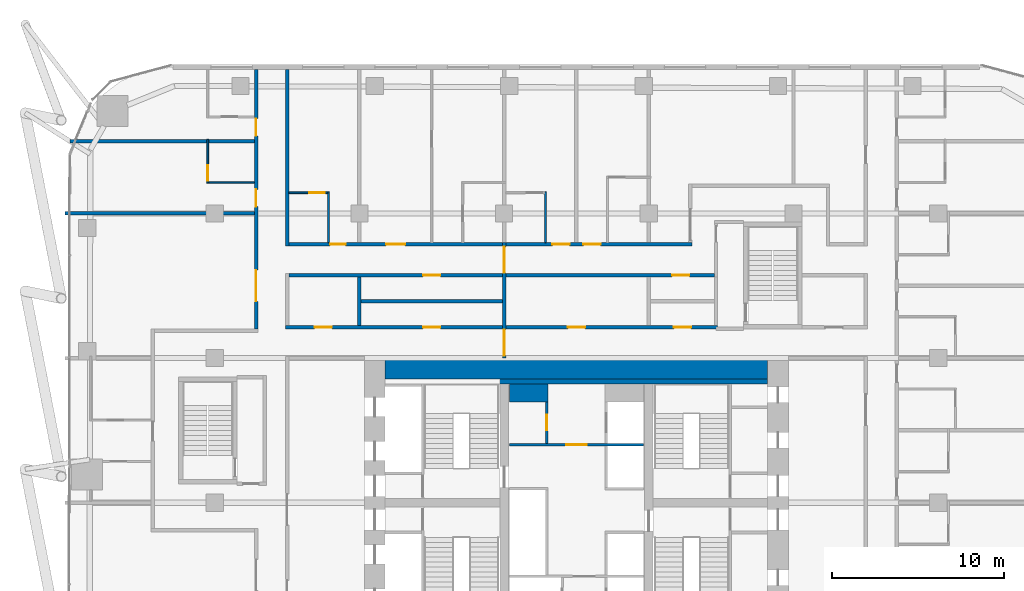
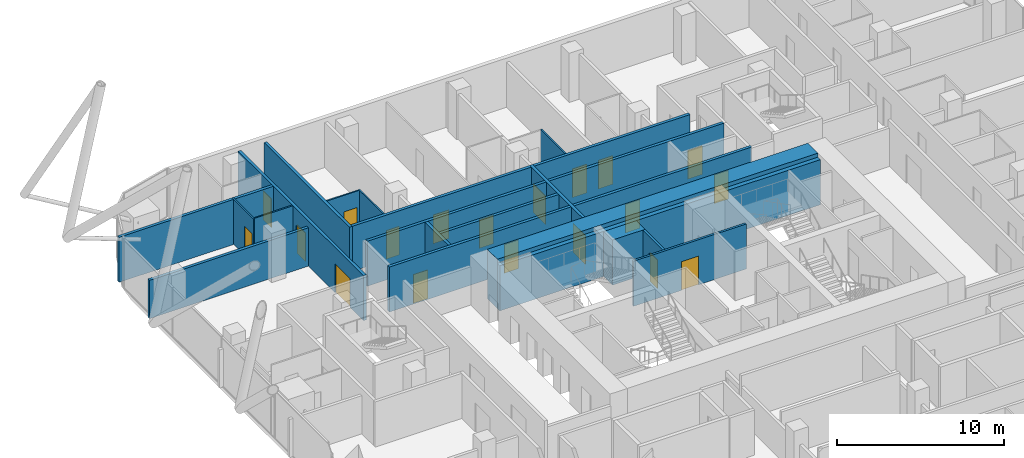
# One storey, part 32 of 36: 20 walls, 19 doors, 19 openings.
"""IFC4 building model written with IfcOpenShell, lengths in metres."""

import ifcopenshell
import ifcopenshell.guid

model = None  # the IFC model being written
_history = None  # IfcOwnerHistory: only IFC2X3 demands one
_inside = {}  # id of a spatial element -> (the spatial element, [elements in it])
_under = {}  # id of a project, library or spatial element -> (it, [spatial elements below it])
_declared = {}  # id of a project -> (the project, [libraries it declares])
_typed = {}  # id of a type object -> (the type object, [elements of that type])
_made_of = {}  # id of a material, layer set ... -> (it, [elements and type objects made of it])


def new_model(schema):
    """Start an empty IFC model of exactly this schema.

    Asked for "IFC4X3", IfcOpenShell would pick the latest addendum, in which some entities
    have other attributes; the version numbers below select the first issue.
    IFC2X3 requires an IfcOwnerHistory on every rooted entity: one is made here for all.
    """
    global model, _history
    if schema == "IFC4X3":
        model = ifcopenshell.file(schema_version=(4, 3, 0, 0))
    else:
        model = ifcopenshell.file(schema=schema)
    _inside.clear()
    _under.clear()
    _declared.clear()
    _typed.clear()
    _made_of.clear()
    _history = None
    if model.schema == "IFC2X3":
        org = make("IfcOrganization", Name="unknown")
        user = make(
            "IfcPersonAndOrganization",
            ThePerson=make("IfcPerson", FamilyName="unknown"),
            TheOrganization=org,
        )
        app = make(
            "IfcApplication",
            ApplicationDeveloper=org,
            Version="unknown",
            ApplicationFullName="unknown",
            ApplicationIdentifier="unknown",
        )
        _history = make(
            "IfcOwnerHistory",
            OwningUser=user,
            OwningApplication=app,
            ChangeAction="ADDED",
            CreationDate=0,
        )
    return model


def make(cls, **values):
    """One entity of the class cls with the attributes given. An attribute that is None is left unset."""
    return model.create_entity(
        cls, **{name: value for name, value in values.items() if value is not None}
    )


def rooted(cls, **values):
    """An entity with a GlobalId (a new one), such as an element, a storey or a relation."""
    return make(cls, GlobalId=ifcopenshell.guid.new(), OwnerHistory=_history, **values)


def si_unit(unit_type, name, prefix=None):
    """IfcSIUnit, for example si_unit("LENGTHUNIT", "METRE", prefix="MILLI")."""
    return make("IfcSIUnit", UnitType=unit_type, Prefix=prefix, Name=name)


def assignment(units):
    """IfcUnitAssignment: the units of a project."""
    return None if units is None else make("IfcUnitAssignment", Units=units)


def point(xyz):
    """IfcCartesianPoint."""
    return None if xyz is None else make("IfcCartesianPoint", Coordinates=xyz)


def direction(xyz):
    """IfcDirection."""
    return None if xyz is None else make("IfcDirection", DirectionRatios=xyz)


def frame(location, z_axis=None, x_axis=None):
    """IfcAxis2Placement3D, a coordinate frame: its origin and axes. An axis left out is left unset."""
    return make(
        "IfcAxis2Placement3D",
        Location=point(location),
        Axis=direction(z_axis),
        RefDirection=direction(x_axis),
    )


def frame_2d(location, x_axis=None):
    """IfcAxis2Placement2D, a coordinate frame in the plane: its origin and x axis."""
    return make(
        "IfcAxis2Placement2D", Location=point(location), RefDirection=direction(x_axis)
    )


def origin():
    """The frame at (0, 0, 0) with its axes left unset."""
    return frame((0.0, 0.0, 0.0))


def place(relative_to, where):
    """IfcLocalPlacement: puts the frame where relative to a parent placement (None: the world)."""
    return make(
        "IfcLocalPlacement", PlacementRelTo=relative_to, RelativePlacement=where
    )


def context(
    kind, dimensions, precision=None, world=None, true_north=None, identifier=None
):
    """IfcGeometricRepresentationContext, for example the 3D "Model" context."""
    return make(
        "IfcGeometricRepresentationContext",
        ContextIdentifier=identifier,
        ContextType=kind,
        CoordinateSpaceDimension=dimensions,
        Precision=precision,
        WorldCoordinateSystem=world,
        TrueNorth=true_north,
    )


def subcontext(parent, identifier, kind, view, scale=None):
    """IfcGeometricRepresentationSubContext, for example "Body" below "Model"."""
    return make(
        "IfcGeometricRepresentationSubContext",
        ContextIdentifier=identifier,
        ContextType=kind,
        ParentContext=parent,
        TargetScale=scale,
        TargetView=view,
    )


def project(units=None, contexts=None):
    """IfcProject with its units and contexts."""
    return rooted(
        "IfcProject",
        Name="project",
        RepresentationContexts=contexts,
        UnitsInContext=assignment(units),
    )


def spatial(cls, under=None, at=None, **own):
    """A site, building, storey or space (cls), placed at a placement, below another one or the project."""
    s = rooted(cls, ObjectPlacement=at, **own)
    if under is not None:
        _under.setdefault(under.id(), (under, []))[1].append(s)
    return s


def profile(cls, at=None, kind="AREA", **sizes):
    """A parametric profile (cls). Its sizes go by their IFC names, for example OverallWidth=200.0."""
    return make(cls, ProfileType=kind, Position=at, **sizes)


def rectangle(**sizes):
    """IfcRectangleProfileDef."""
    return profile("IfcRectangleProfileDef", **sizes)


def extrude(swept, where, along, depth):
    """IfcExtrudedAreaSolid: the profile swept, set in the frame where, extruded along a direction by depth."""
    return make(
        "IfcExtrudedAreaSolid",
        SweptArea=swept,
        Position=where,
        ExtrudedDirection=direction(along),
        Depth=depth,
    )


def shape(context_of_items, identifier, shape_type, items):
    """IfcShapeRepresentation: the items that make up one representation, for example the "Body"."""
    return make(
        "IfcShapeRepresentation",
        ContextOfItems=context_of_items,
        RepresentationIdentifier=identifier,
        RepresentationType=shape_type,
        Items=items,
    )


def material(Name=None, Category=None):
    """IfcMaterial."""
    return make("IfcMaterial", Name=Name, Category=Category)


def layer(
    of_material, thickness, ventilated=None, Name=None, Category=None, Priority=None
):
    """IfcMaterialLayer: one layer of a wall or slab, of a material (None: an air gap)."""
    return make(
        "IfcMaterialLayer",
        Material=of_material,
        LayerThickness=thickness,
        IsVentilated=ventilated,
        Name=Name,
        Category=Category,
        Priority=Priority,
    )


def layer_set(layers, Name=None):
    """IfcMaterialLayerSet."""
    return make("IfcMaterialLayerSet", MaterialLayers=layers, LayerSetName=Name)


def made_of(thing, what):
    """Note that an element or type object is made of a material, layer set ...; save() writes the relation."""
    if what is not None:
        _made_of.setdefault(what.id(), (what, []))[1].append(thing)
    return thing


def type_object(cls, material=None, **own):
    """A type object (cls), such as IfcWallType, which elements share."""
    return made_of(rooted(cls, **own), material)


def element(
    cls,
    number,
    at=None,
    inside=None,
    cuts=None,
    type_object=None,
    material=None,
    context=None,
    identifier="Body",
    shape_type=None,
    held_by="IfcProductDefinitionShape",
    body=None,
    shapes=None,
    **own,
):
    """One element of the class cls, such as IfcWall. Its Tag is "e" and its number.

    at: its placement. inside: the storey or other place that contains it. cuts: it is an
    opening in that element (IfcRelVoidsElement). A single representation is given by context,
    identifier, shape_type and body (its items); several are given by shapes. held_by: the class
    of the entity that holds the representations. save() writes the other relations.
    """
    e = rooted(cls, Tag="e%d" % number, ObjectPlacement=at, **own)
    if body is not None:
        shapes = [shape(context, identifier, shape_type, body)]
    if shapes is not None:
        e.Representation = make(held_by, Representations=shapes)
    if inside is not None:
        _inside.setdefault(inside.id(), (inside, []))[1].append(e)
    if cuts is not None:
        rooted(
            "IfcRelVoidsElement", RelatingBuildingElement=cuts, RelatedOpeningElement=e
        )
    if type_object is not None:
        _typed.setdefault(type_object.id(), (type_object, []))[1].append(e)
    return made_of(e, material)


def fill(opening, filler):
    """IfcRelFillsElement: the door or window that sits in an opening."""
    return rooted(
        "IfcRelFillsElement",
        RelatingOpeningElement=opening,
        RelatedBuildingElement=filler,
    )


def aggregate(whole, parts):
    """IfcRelAggregates: a whole, such as a stair, and the parts it consists of."""
    return rooted("IfcRelAggregates", RelatingObject=whole, RelatedObjects=parts)


def save(model, path):
    """Write the relations noted so far, then the file.

    IfcRelAggregates (storeys below a building ...), IfcRelContainedInSpatialStructure (elements
    in a storey), IfcRelDefinesByType, IfcRelAssociatesMaterial and IfcRelDeclares: one each for
    every whole, place, type object, material and project.
    """
    for whole, parts in _under.values():
        aggregate(whole, parts)
    for where, things in _inside.values():
        rooted(
            "IfcRelContainedInSpatialStructure",
            RelatedElements=things,
            RelatingStructure=where,
        )
    for kind, things in _typed.values():
        rooted("IfcRelDefinesByType", RelatedObjects=things, RelatingType=kind)
    for what, things in _made_of.values():
        rooted("IfcRelAssociatesMaterial", RelatedObjects=things, RelatingMaterial=what)
    for by, libraries in _declared.values():
        rooted("IfcRelDeclares", RelatingContext=by, RelatedDefinitions=libraries)
    model.write(path)


model = new_model("IFC4")

# Units and contexts
model_context = context("Model", 3, precision=1e-05, world=origin(), true_north=direction((0.0, 1.0)))
body_context = subcontext(model_context, "Body", "Model", "MODEL_VIEW")
ifc_project = project(units=[si_unit("LENGTHUNIT", "METRE"), si_unit("AREAUNIT", "SQUARE_METRE"), si_unit("VOLUMEUNIT", "CUBIC_METRE"), si_unit("PLANEANGLEUNIT", "RADIAN"), si_unit("MASSUNIT", "GRAM", prefix="KILO")], contexts=[model_context])

# Site, building, storey
site_placement = place(None, origin())
site = spatial("IfcSite", under=ifc_project, at=site_placement, CompositionType="ELEMENT")
building_placement = place(site_placement, origin())
building = spatial("IfcBuilding", under=site, at=building_placement, Name="Marenta Gate Hotel Tower", CompositionType="ELEMENT")
storey_placement = place(building_placement, frame((0.0, 0.0, 83.300048828125)))
storey = spatial("IfcBuildingStorey", under=building, at=storey_placement, Name="L19", CompositionType="ELEMENT", Elevation=83.300048828125)

# Wall, openings, doors
ifc_material_1 = material(Name="Concrete blockwork", Category="masonry")
ifc_layer_1 = layer(ifc_material_1, 0.199951171875)
ifc_layer_set_1 = layer_set([ifc_layer_1], Name="Concrete blockwork")
wall_type_1 = type_object("IfcWallType", Name="Compartment wall 200 REI 180", PredefinedType="PARTITIONING", material=ifc_layer_set_1)
wall_1_placement = place(storey_placement, frame((-4.199951171875, 16.800048828125, 0.0), z_axis=(0.0, 0.0, 1.0), x_axis=(0.0, 1.0, 0.0)))
wall_1 = element("IfcWall", 1, at=wall_1_placement, inside=storey, type_object=wall_type_1, Name="L19-PTN-W079", PredefinedType="PARTITIONING", context=body_context, shape_type="SweptSolid", body=[
    extrude(rectangle(XDim=6.699951171875, YDim=0.199951171875, at=frame_2d((3.35009765625, 0.0))), origin(), (0.0, 0.0, 1.0), 3.300048828125),
])
opening_1_placement = place(wall_1_placement, frame((0.14990234375, 0.0, 0.0)))
opening_1 = element("IfcOpeningElement", 2, at=opening_1_placement, cuts=wall_1, Name="Opening G07-FD1", PredefinedType="OPENING", context=body_context, shape_type="SweptSolid", body=[
    extrude(rectangle(XDim=1.5, YDim=2.10009765625, at=frame_2d((0.75, 1.050048828125))), frame((0.0, 0.10009765625, 0.0), z_axis=(0.0, -1.0, 0.0), x_axis=(1.0, 0.0, 0.0)), (0.0, 0.0, 1.0), 0.199951171875),
])
opening_2_placement = place(wall_1_placement, frame((4.949951171875, 0.0, 0.0)))
opening_2 = element("IfcOpeningElement", 3, at=opening_2_placement, cuts=wall_1, Name="Opening G07-FD2", PredefinedType="OPENING", context=body_context, shape_type="SweptSolid", body=[
    extrude(rectangle(XDim=1.5, YDim=2.10009765625, at=frame_2d((0.75, 1.050048828125))), frame((0.0, 0.10009765625, 0.0), z_axis=(0.0, -1.0, 0.0), x_axis=(1.0, 0.0, 0.0)), (0.0, 0.0, 1.0), 0.199951171875),
])
ifc_material_2 = material(Name="Hollow steel door set", Category="steel")
door_type_1 = type_object("IfcDoorType", Name="Compartment fire door 1500x2100 EI 60", OperationType="DOUBLE_DOOR_DOUBLE_SWING", PredefinedType="DOOR", material=ifc_material_2)
door_1_placement = place(opening_1_placement, origin())
door_1 = element("IfcDoor", 4, at=door_1_placement, inside=storey, type_object=door_type_1, Name="L19-PD-FD01", OperationType="DOUBLE_DOOR_DOUBLE_SWING", OverallHeight=2.10009765625, OverallWidth=1.5, PredefinedType="DOOR", context=body_context, shape_type="SweptSolid", body=[
    extrude(rectangle(XDim=1.5, YDim=2.10009765625, at=frame_2d((0.75, 1.050048828125))), frame((0.0, 0.02490234375, 0.0), z_axis=(0.0, -1.0, 0.0), x_axis=(1.0, 0.0, 0.0)), (0.0, 0.0, 1.0), 0.050048828125),
])
fill(opening_1, door_1)
door_2_placement = place(opening_2_placement, origin())
door_2 = element("IfcDoor", 5, at=door_2_placement, inside=storey, type_object=door_type_1, Name="L19-PD-FD02", OperationType="DOUBLE_DOOR_DOUBLE_SWING", OverallHeight=2.10009765625, OverallWidth=1.5, PredefinedType="DOOR", context=body_context, shape_type="SweptSolid", body=[
    extrude(rectangle(XDim=1.5, YDim=2.10009765625, at=frame_2d((0.75, 1.050048828125))), frame((0.0, 0.02490234375, 0.0), z_axis=(0.0, -1.0, 0.0), x_axis=(1.0, 0.0, 0.0)), (0.0, 0.0, 1.0), 0.050048828125),
])
fill(opening_2, door_2)

# Wall
ifc_material_3 = material(Name="Concrete C40", Category="concrete")
ifc_layer_2 = layer(ifc_material_3, 0.300048828125)
ifc_layer_set_2 = layer_set([ifc_layer_2], Name="Concrete C40")
wall_type_2 = type_object("IfcWallType", Name="Core lining wall 300 REI 180", PredefinedType="PARTITIONING", material=ifc_layer_set_2)
wall_2_placement = place(storey_placement, frame((-11.10009765625, 15.449951171875, 0.0), z_axis=(0.0, 0.0, 1.0), x_axis=(1.0, 0.0, 0.0)))
element("IfcWall", 6, at=wall_2_placement, inside=storey, type_object=wall_type_2, Name="L19-CP-LN-N", PredefinedType="PARTITIONING", context=body_context, shape_type="SweptSolid", body=[
    extrude(rectangle(XDim=22.2001953125, YDim=0.300048828125, at=frame_2d((11.10009765625, 0.0))), origin(), (0.0, 0.0, 1.0), 3.300048828125),
])

# Wall, opening, door
ifc_material_4 = material(Name="Concrete blockwork", Category="masonry")
ifc_layer_3 = layer(ifc_material_4, 0.14990234375)
ifc_layer_set_3 = layer_set([ifc_layer_3], Name="Concrete blockwork")
wall_type_3 = type_object("IfcWallType", Name="Core lobby partition 150 REI 180", PredefinedType="PARTITIONING", material=ifc_layer_set_3)
wall_3_placement = place(storey_placement, frame((-3.89990234375, 11.77490234375, 0.0), z_axis=(0.0, 0.0, 1.0), x_axis=(1.0, 0.0, 0.0)))
wall_3 = element("IfcWall", 7, at=wall_3_placement, inside=storey, type_object=wall_type_3, Name="L19-CP-CW-N", PredefinedType="PARTITIONING", context=body_context, shape_type="SweptSolid", body=[
    extrude(rectangle(XDim=7.7998046875, YDim=0.14990234375, at=frame_2d((3.89990234375, 0.0))), origin(), (0.0, 0.0, 1.0), 3.300048828125),
])
opening_3_placement = place(wall_3_placement, frame((3.300048828125, 0.0, 0.0)))
opening_3 = element("IfcOpeningElement", 8, at=opening_3_placement, cuts=wall_3, Name="Opening FD-FFN", PredefinedType="OPENING", context=body_context, shape_type="SweptSolid", body=[
    extrude(rectangle(XDim=1.199951171875, YDim=2.10009765625, at=frame_2d((0.60009765625, 1.050048828125))), frame((0.0, 0.074951171875, 0.0), z_axis=(0.0, -1.0, 0.0), x_axis=(1.0, 0.0, 0.0)), (0.0, 0.0, 1.0), 0.14990234375),
])
ifc_material_5 = material(Name="Steel", Category="steel")
door_type_2 = type_object("IfcDoorType", Name="Core lobby door 1200x2100 FD60", OperationType="SINGLE_SWING_LEFT", PredefinedType="DOOR", material=ifc_material_5)
door_3_placement = place(opening_3_placement, origin())
door_3 = element("IfcDoor", 9, at=door_3_placement, inside=storey, type_object=door_type_2, Name="FD-FFN", OperationType="SINGLE_SWING_LEFT", OverallHeight=2.10009765625, OverallWidth=1.199951171875, PredefinedType="DOOR", context=body_context, shape_type="SweptSolid", body=[
    extrude(rectangle(XDim=1.199951171875, YDim=2.10009765625, at=frame_2d((0.60009765625, 1.050048828125))), frame((0.0, 0.02490234375, 0.0), z_axis=(0.0, -1.0, 0.0), x_axis=(1.0, 0.0, 0.0)), (0.0, 0.0, 1.0), 0.050048828125),
])
fill(opening_3, door_3)

# Wall
ifc_material_6 = material(Name="Concrete blockwork", Category="masonry")
ifc_layer_4 = layer(ifc_material_6, 1.050048828125)
ifc_layer_set_4 = layer_set([ifc_layer_4], Name="Concrete blockwork")
wall_type_4 = type_object("IfcWallType", Name="Core room partition 1050 REI 180", PredefinedType="PARTITIONING", material=ifc_layer_set_4)
wall_4_placement = place(storey_placement, frame((-3.89990234375, 14.77490234375, 0.0), z_axis=(0.0, 0.0, 1.0), x_axis=(1.0, 0.0, 0.0)))
element("IfcWall", 10, at=wall_4_placement, inside=storey, type_object=wall_type_4, Name="L19-CP-CW-W-riser-N", PredefinedType="PARTITIONING", context=body_context, shape_type="SweptSolid", body=[
    extrude(rectangle(XDim=2.25, YDim=1.050048828125, at=frame_2d((1.125, 0.0))), origin(), (0.0, 0.0, 1.0), 3.300048828125),
])

# Wall, opening, door
ifc_material_7 = material(Name="Concrete blockwork", Category="masonry")
ifc_layer_5 = layer(ifc_material_7, 0.14990234375)
ifc_layer_set_5 = layer_set([ifc_layer_5], Name="Concrete blockwork")
wall_type_5 = type_object("IfcWallType", Name="Core room partition 150 REI 180", PredefinedType="PARTITIONING", material=ifc_layer_set_5)
wall_5_placement = place(storey_placement, frame((-1.72509765625, 11.85009765625, 0.0), z_axis=(0.0, 0.0, 1.0), x_axis=(0.0, 1.0, 0.0)))
wall_5 = element("IfcWall", 11, at=wall_5_placement, inside=storey, type_object=wall_type_5, Name="L19-CP-CW-W-riser-front", PredefinedType="PARTITIONING", context=body_context, shape_type="SweptSolid", body=[
    extrude(rectangle(XDim=2.39990234375, YDim=0.14990234375, at=frame_2d((1.199951171875, 0.0))), origin(), (0.0, 0.0, 1.0), 3.300048828125),
])
opening_4_placement = place(wall_5_placement, frame((0.75, 0.0, 0.0)))
opening_4 = element("IfcOpeningElement", 12, at=opening_4_placement, cuts=wall_5, Name="Opening RD-CRISER", PredefinedType="OPENING", context=body_context, shape_type="SweptSolid", body=[
    extrude(rectangle(XDim=0.89990234375, YDim=2.10009765625, at=frame_2d((0.449951171875, 1.050048828125))), frame((0.0, 0.074951171875, 0.0), z_axis=(0.0, -1.0, 0.0), x_axis=(1.0, 0.0, 0.0)), (0.0, 0.0, 1.0), 0.14990234375),
])
ifc_material_8 = material(Name="Steel", Category="steel")
door_type_3 = type_object("IfcDoorType", Name="Core riser door 900x2100 FD60", OperationType="SINGLE_SWING_LEFT", PredefinedType="DOOR", material=ifc_material_8)
door_4_placement = place(opening_4_placement, origin())
door_4 = element("IfcDoor", 13, at=door_4_placement, inside=storey, type_object=door_type_3, Name="RD-CRISER", OperationType="SINGLE_SWING_LEFT", OverallHeight=2.10009765625, OverallWidth=0.89990234375, PredefinedType="DOOR", context=body_context, shape_type="SweptSolid", body=[
    extrude(rectangle(XDim=0.89990234375, YDim=2.10009765625, at=frame_2d((0.449951171875, 1.050048828125))), frame((0.0, 0.02490234375, 0.0), z_axis=(0.0, -1.0, 0.0), x_axis=(1.0, 0.0, 0.0)), (0.0, 0.0, 1.0), 0.050048828125),
])
fill(opening_4, door_4)

# Wall
ifc_material_9 = material(Name="Concrete C80", Category="concrete")
ifc_layer_6 = layer(ifc_material_9, 1.199951171875)
ifc_layer_set_6 = layer_set([ifc_layer_6], Name="Concrete C80")
wall_type_6 = type_object("IfcWallType", Name="Core wall 1200 C80", PredefinedType="SHEAR", material=ifc_layer_set_6)
wall_6_placement = place(storey_placement, frame((-11.10009765625, 16.199951171875, 0.0), z_axis=(0.0, 0.0, 1.0), x_axis=(1.0, 0.0, 0.0)))
element("IfcWall", 14, at=wall_6_placement, inside=storey, type_object=wall_type_6, Name="L19-CORE-N", PredefinedType="SHEAR", context=body_context, shape_type="SweptSolid", body=[
    extrude(rectangle(XDim=22.2001953125, YDim=1.199951171875, at=frame_2d((11.10009765625, 0.0))), origin(), (0.0, 0.0, 1.0), 3.599853515625),
])

# Wall, openings, doors
ifc_material_10 = material(Name="Concrete blockwork", Category="masonry")
ifc_layer_7 = layer(ifc_material_10, 0.199951171875)
ifc_layer_set_7 = layer_set([ifc_layer_7], Name="Concrete blockwork")
wall_type_7 = type_object("IfcWallType", Name="Room corridor wall 200 EI 120", PredefinedType="PARTITIONING", material=ifc_layer_set_7)
wall_7_placement = place(storey_placement, frame((-16.89990234375, 18.60009765625, 0.0), z_axis=(0.0, 0.0, 1.0), x_axis=(1.0, 0.0, 0.0)))
wall_7 = element("IfcWall", 15, at=wall_7_placement, inside=storey, type_object=wall_type_7, Name="L19-PTN-W118", PredefinedType="PARTITIONING", context=body_context, shape_type="SweptSolid", body=[
    extrude(rectangle(XDim=25.099853515625, YDim=0.199951171875, at=frame_2d((12.5498046875, 0.0))), origin(), (0.0, 0.0, 1.0), 3.300048828125),
])
opening_5_placement = place(wall_7_placement, frame((1.699951171875, 0.0, 0.0)))
opening_5 = element("IfcOpeningElement", 16, at=opening_5_placement, cuts=wall_7, Name="Opening G07-01", PredefinedType="OPENING", context=body_context, shape_type="SweptSolid", body=[
    extrude(rectangle(XDim=1.0, YDim=2.10009765625, at=frame_2d((0.5, 1.050048828125))), frame((0.0, 0.10009765625, 0.0), z_axis=(0.0, -1.0, 0.0), x_axis=(1.0, 0.0, 0.0)), (0.0, 0.0, 1.0), 0.199951171875),
])
opening_6_placement = place(wall_7_placement, frame((16.39990234375, 0.0, 0.0)))
opening_6 = element("IfcOpeningElement", 17, at=opening_6_placement, cuts=wall_7, Name="Opening G07-02", PredefinedType="OPENING", context=body_context, shape_type="SweptSolid", body=[
    extrude(rectangle(XDim=1.0, YDim=2.10009765625, at=frame_2d((0.5, 1.050048828125))), frame((0.0, 0.10009765625, 0.0), z_axis=(0.0, -1.0, 0.0), x_axis=(1.0, 0.0, 0.0)), (0.0, 0.0, 1.0), 0.199951171875),
])
opening_7_placement = place(wall_7_placement, frame((8.0, 0.0, 0.0)))
opening_7 = element("IfcOpeningElement", 18, at=opening_7_placement, cuts=wall_7, Name="Opening G07-72", PredefinedType="OPENING", context=body_context, shape_type="SweptSolid", body=[
    extrude(rectangle(XDim=1.0, YDim=2.10009765625, at=frame_2d((0.5, 1.050048828125))), frame((0.0, 0.10009765625, 0.0), z_axis=(0.0, -1.0, 0.0), x_axis=(1.0, 0.0, 0.0)), (0.0, 0.0, 1.0), 0.199951171875),
])
opening_8_placement = place(wall_7_placement, frame((22.550048828125, 0.0, 0.0)))
opening_8 = element("IfcOpeningElement", 19, at=opening_8_placement, cuts=wall_7, Name="Opening G07-74", PredefinedType="OPENING", context=body_context, shape_type="SweptSolid", body=[
    extrude(rectangle(XDim=1.0, YDim=2.10009765625, at=frame_2d((0.5, 1.050048828125))), frame((0.0, 0.10009765625, 0.0), z_axis=(0.0, -1.0, 0.0), x_axis=(1.0, 0.0, 0.0)), (0.0, 0.0, 1.0), 0.199951171875),
])
ifc_material_11 = material(Name="Timber door leaf", Category="wood")
door_type_4 = type_object("IfcDoorType", Name="Room amenity door 1000x2100 EI 60", OperationType="NOTDEFINED", PredefinedType="DOOR", material=ifc_material_11)
door_5_placement = place(opening_7_placement, origin())
door_5 = element("IfcDoor", 20, at=door_5_placement, inside=storey, type_object=door_type_4, Name="L19-PD-D072", OperationType="SINGLE_SWING_RIGHT", OverallHeight=2.10009765625, OverallWidth=1.0, PredefinedType="DOOR", context=body_context, shape_type="SweptSolid", body=[
    extrude(rectangle(XDim=1.0, YDim=2.10009765625, at=frame_2d((0.5, 1.050048828125))), frame((0.0, 0.02490234375, 0.0), z_axis=(0.0, -1.0, 0.0), x_axis=(1.0, 0.0, 0.0)), (0.0, 0.0, 1.0), 0.050048828125),
])
fill(opening_7, door_5)
door_6_placement = place(opening_8_placement, origin())
door_6 = element("IfcDoor", 21, at=door_6_placement, inside=storey, type_object=door_type_4, Name="L19-PD-D074", OperationType="SINGLE_SWING_RIGHT", OverallHeight=2.10009765625, OverallWidth=1.0, PredefinedType="DOOR", context=body_context, shape_type="SweptSolid", body=[
    extrude(rectangle(XDim=1.0, YDim=2.10009765625, at=frame_2d((0.5, 1.050048828125))), frame((0.0, 0.02490234375, 0.0), z_axis=(0.0, -1.0, 0.0), x_axis=(1.0, 0.0, 0.0)), (0.0, 0.0, 1.0), 0.050048828125),
])
fill(opening_8, door_6)
ifc_material_12 = material(Name="Hollow steel door set", Category="steel")
door_type_5 = type_object("IfcDoorType", Name="Room service door 1000x2100 EI 60", OperationType="NOTDEFINED", PredefinedType="DOOR", material=ifc_material_12)
door_7_placement = place(opening_5_placement, origin())
door_7 = element("IfcDoor", 22, at=door_7_placement, inside=storey, type_object=door_type_5, Name="L19-PD-D001", OperationType="SINGLE_SWING_RIGHT", OverallHeight=2.10009765625, OverallWidth=1.0, PredefinedType="DOOR", context=body_context, shape_type="SweptSolid", body=[
    extrude(rectangle(XDim=1.0, YDim=2.10009765625, at=frame_2d((0.5, 1.050048828125))), frame((0.0, 0.02490234375, 0.0), z_axis=(0.0, -1.0, 0.0), x_axis=(1.0, 0.0, 0.0)), (0.0, 0.0, 1.0), 0.050048828125),
])
fill(opening_5, door_7)
door_8_placement = place(opening_6_placement, origin())
door_8 = element("IfcDoor", 23, at=door_8_placement, inside=storey, type_object=door_type_5, Name="L19-PD-D002", OperationType="SINGLE_SWING_LEFT", OverallHeight=2.10009765625, OverallWidth=1.0, PredefinedType="DOOR", context=body_context, shape_type="SweptSolid", body=[
    extrude(rectangle(XDim=1.0, YDim=2.10009765625, at=frame_2d((0.5, 1.050048828125))), frame((0.0, 0.02490234375, 0.0), z_axis=(0.0, -1.0, 0.0), x_axis=(1.0, 0.0, 0.0)), (0.0, 0.0, 1.0), 0.050048828125),
])
fill(opening_6, door_8)

wall_8_placement = place(storey_placement, frame((-16.699951171875, 21.60009765625, 0.0), z_axis=(0.0, 0.0, 1.0), x_axis=(1.0, 0.0, 0.0)))
wall_8 = element("IfcWall", 24, at=wall_8_placement, inside=storey, type_object=wall_type_7, Name="L19-PTN-W126", PredefinedType="PARTITIONING", context=body_context, shape_type="SweptSolid", body=[
    extrude(rectangle(XDim=24.699951171875, YDim=0.199951171875, at=frame_2d((12.35009765625, 0.0))), origin(), (0.0, 0.0, 1.0), 3.300048828125),
])
opening_9_placement = place(wall_8_placement, frame((7.800048828125, 0.0, 0.0)))
opening_9 = element("IfcOpeningElement", 25, at=opening_9_placement, cuts=wall_8, Name="Opening G07-73", PredefinedType="OPENING", context=body_context, shape_type="SweptSolid", body=[
    extrude(rectangle(XDim=1.0, YDim=2.10009765625, at=frame_2d((0.5, 1.050048828125))), frame((0.0, 0.10009765625, 0.0), z_axis=(0.0, -1.0, 0.0), x_axis=(1.0, 0.0, 0.0)), (0.0, 0.0, 1.0), 0.199951171875),
])
opening_10_placement = place(wall_8_placement, frame((22.25, 0.0, 0.0)))
opening_10 = element("IfcOpeningElement", 26, at=opening_10_placement, cuts=wall_8, Name="Opening G07-75", PredefinedType="OPENING", context=body_context, shape_type="SweptSolid", body=[
    extrude(rectangle(XDim=1.0, YDim=2.10009765625, at=frame_2d((0.5, 1.050048828125))), frame((0.0, 0.10009765625, 0.0), z_axis=(0.0, -1.0, 0.0), x_axis=(1.0, 0.0, 0.0)), (0.0, 0.0, 1.0), 0.199951171875),
])
door_9_placement = place(opening_9_placement, origin())
door_9 = element("IfcDoor", 27, at=door_9_placement, inside=storey, type_object=door_type_4, Name="L19-PD-D073", OperationType="SINGLE_SWING_RIGHT", OverallHeight=2.10009765625, OverallWidth=1.0, PredefinedType="DOOR", context=body_context, shape_type="SweptSolid", body=[
    extrude(rectangle(XDim=1.0, YDim=2.10009765625, at=frame_2d((0.5, 1.050048828125))), frame((0.0, 0.02490234375, 0.0), z_axis=(0.0, -1.0, 0.0), x_axis=(1.0, 0.0, 0.0)), (0.0, 0.0, 1.0), 0.050048828125),
])
fill(opening_9, door_9)
door_10_placement = place(opening_10_placement, origin())
door_10 = element("IfcDoor", 28, at=door_10_placement, inside=storey, type_object=door_type_4, Name="L19-PD-D075", OperationType="SINGLE_SWING_LEFT", OverallHeight=2.10009765625, OverallWidth=1.0, PredefinedType="DOOR", context=body_context, shape_type="SweptSolid", body=[
    extrude(rectangle(XDim=1.0, YDim=2.10009765625, at=frame_2d((0.5, 1.050048828125))), frame((0.0, 0.02490234375, 0.0), z_axis=(0.0, -1.0, 0.0), x_axis=(1.0, 0.0, 0.0)), (0.0, 0.0, 1.0), 0.050048828125),
])
fill(opening_10, door_10)

# Wall
ifc_material_13 = material(Name="Gypsum board on steel stud", Category="steel")
ifc_layer_8 = layer(ifc_material_13, 0.199951171875)
ifc_layer_set_8 = layer_set([ifc_layer_8], Name="Gypsum board on steel stud")
wall_type_8 = type_object("IfcWallType", Name="Room corridor wall 200 EI 60", PredefinedType="PARTITIONING", material=ifc_layer_set_8)
wall_9_placement = place(storey_placement, frame((-16.800048828125, 23.300048828125, 0.0), z_axis=(0.0, 0.0, 1.0), x_axis=(0.0, 1.0, 0.0)))
element("IfcWall", 29, at=wall_9_placement, inside=storey, type_object=wall_type_8, Name="L19-PTN-W110", PredefinedType="PARTITIONING", context=body_context, shape_type="SweptSolid", body=[
    extrude(rectangle(XDim=10.239990234375, YDim=0.199951171875, at=frame_2d((5.1201171875, 0.0))), origin(), (0.0, 0.0, 1.0), 3.300048828125),
])

# Wall, openings, doors
wall_10_placement = place(storey_placement, frame((-18.60009765625, 18.5, 0.0), z_axis=(0.0, 0.0, 1.0), x_axis=(0.0, 1.0, 0.0)))
wall_10 = element("IfcWall", 30, at=wall_10_placement, inside=storey, type_object=wall_type_8, Name="L19-PTN-W117", PredefinedType="PARTITIONING", context=body_context, shape_type="SweptSolid", body=[
    extrude(rectangle(XDim=15.0400390625, YDim=0.199951171875, at=frame_2d((7.52001953125, 0.0))), origin(), (0.0, 0.0, 1.0), 3.300048828125),
])
opening_11_placement = place(wall_10_placement, frame((1.60009765625, 0.0, 0.0)))
opening_11 = element("IfcOpeningElement", 31, at=opening_11_placement, cuts=wall_10, Name="Opening G07-59", PredefinedType="OPENING", context=body_context, shape_type="SweptSolid", body=[
    extrude(rectangle(XDim=1.800048828125, YDim=2.10009765625, at=frame_2d((0.89990234375, 1.050048828125))), frame((0.0, 0.10009765625, 0.0), z_axis=(0.0, -1.0, 0.0), x_axis=(1.0, 0.0, 0.0)), (0.0, 0.0, 1.0), 0.199951171875),
])
opening_12_placement = place(wall_10_placement, frame((7.10009765625, 0.0, 0.0)))
opening_12 = element("IfcOpeningElement", 32, at=opening_12_placement, cuts=wall_10, Name="Opening G07-60", PredefinedType="OPENING", context=body_context, shape_type="SweptSolid", body=[
    extrude(rectangle(XDim=1.0, YDim=2.10009765625, at=frame_2d((0.5, 1.050048828125))), frame((0.0, 0.10009765625, 0.0), z_axis=(0.0, -1.0, 0.0), x_axis=(1.0, 0.0, 0.0)), (0.0, 0.0, 1.0), 0.199951171875),
])
opening_13_placement = place(wall_10_placement, frame((11.199951171875, 0.0, 0.0)))
opening_13 = element("IfcOpeningElement", 33, at=opening_13_placement, cuts=wall_10, Name="Opening G07-62", PredefinedType="OPENING", context=body_context, shape_type="SweptSolid", body=[
    extrude(rectangle(XDim=1.0, YDim=2.10009765625, at=frame_2d((0.5, 1.050048828125))), frame((0.0, 0.10009765625, 0.0), z_axis=(0.0, -1.0, 0.0), x_axis=(1.0, 0.0, 0.0)), (0.0, 0.0, 1.0), 0.199951171875),
])
ifc_material_14 = material(Name="Timber door leaf", Category="wood")
door_type_6 = type_object("IfcDoorType", Name="Guest room door 1000x2100 EI 30", OperationType="NOTDEFINED", PredefinedType="DOOR", material=ifc_material_14)
door_11_placement = place(opening_12_placement, origin())
door_11 = element("IfcDoor", 34, at=door_11_placement, inside=storey, type_object=door_type_6, Name="L19-PD-D060", OperationType="SINGLE_SWING_LEFT", OverallHeight=2.10009765625, OverallWidth=1.0, PredefinedType="DOOR", context=body_context, shape_type="SweptSolid", body=[
    extrude(rectangle(XDim=1.0, YDim=2.10009765625, at=frame_2d((0.5, 1.050048828125))), frame((0.0, 0.02490234375, 0.0), z_axis=(0.0, -1.0, 0.0), x_axis=(1.0, 0.0, 0.0)), (0.0, 0.0, 1.0), 0.050048828125),
])
fill(opening_12, door_11)
door_12_placement = place(opening_13_placement, origin())
door_12 = element("IfcDoor", 35, at=door_12_placement, inside=storey, type_object=door_type_6, Name="L19-PD-D062", OperationType="SINGLE_SWING_RIGHT", OverallHeight=2.10009765625, OverallWidth=1.0, PredefinedType="DOOR", context=body_context, shape_type="SweptSolid", body=[
    extrude(rectangle(XDim=1.0, YDim=2.10009765625, at=frame_2d((0.5, 1.050048828125))), frame((0.0, 0.02490234375, 0.0), z_axis=(0.0, -1.0, 0.0), x_axis=(1.0, 0.0, 0.0)), (0.0, 0.0, 1.0), 0.050048828125),
])
fill(opening_13, door_12)
ifc_material_15 = material(Name="Timber door leaf", Category="wood")
door_type_7 = type_object("IfcDoorType", Name="Room amenity door 1800x2100 EI 30", OperationType="DOUBLE_DOOR_SINGLE_SWING", PredefinedType="DOOR", material=ifc_material_15)
door_13_placement = place(opening_11_placement, origin())
door_13 = element("IfcDoor", 36, at=door_13_placement, inside=storey, type_object=door_type_7, Name="L19-PD-D059", OperationType="DOUBLE_DOOR_SINGLE_SWING", OverallHeight=2.10009765625, OverallWidth=1.800048828125, PredefinedType="DOOR", context=body_context, shape_type="SweptSolid", body=[
    extrude(rectangle(XDim=1.800048828125, YDim=2.10009765625, at=frame_2d((0.89990234375, 1.050048828125))), frame((0.0, 0.02490234375, 0.0), z_axis=(0.0, -1.0, 0.0), x_axis=(1.0, 0.0, 0.0)), (0.0, 0.0, 1.0), 0.050048828125),
])
fill(opening_11, door_13)

wall_11_placement = place(storey_placement, frame((-16.699951171875, 23.39990234375, 0.0), z_axis=(0.0, 0.0, 1.0), x_axis=(1.0, 0.0, 0.0)))
wall_11 = element("IfcWall", 37, at=wall_11_placement, inside=storey, type_object=wall_type_8, Name="L19-PTN-W131", PredefinedType="PARTITIONING", context=body_context, shape_type="SweptSolid", body=[
    extrude(rectangle(XDim=23.39990234375, YDim=0.199951171875, at=frame_2d((11.699951171875, 0.0))), origin(), (0.0, 0.0, 1.0), 3.300048828125),
])
opening_14_placement = place(wall_11_placement, frame((2.39990234375, 0.0, 0.0)))
opening_14 = element("IfcOpeningElement", 38, at=opening_14_placement, cuts=wall_11, Name="Opening G07-31", PredefinedType="OPENING", context=body_context, shape_type="SweptSolid", body=[
    extrude(rectangle(XDim=0.89990234375, YDim=2.10009765625, at=frame_2d((0.449951171875, 1.050048828125))), frame((0.0, 0.10009765625, 0.0), z_axis=(0.0, -1.0, 0.0), x_axis=(1.0, 0.0, 0.0)), (0.0, 0.0, 1.0), 0.199951171875),
])
opening_15_placement = place(wall_11_placement, frame((5.64990234375, 0.0, 0.0)))
opening_15 = element("IfcOpeningElement", 39, at=opening_15_placement, cuts=wall_11, Name="Opening G07-33", PredefinedType="OPENING", context=body_context, shape_type="SweptSolid", body=[
    extrude(rectangle(XDim=1.10009765625, YDim=2.10009765625, at=frame_2d((0.550048828125, 1.050048828125))), frame((0.0, 0.10009765625, 0.0), z_axis=(0.0, -1.0, 0.0), x_axis=(1.0, 0.0, 0.0)), (0.0, 0.0, 1.0), 0.199951171875),
])
opening_16_placement = place(wall_11_placement, frame((15.300048828125, 0.0, 0.0)))
opening_16 = element("IfcOpeningElement", 40, at=opening_16_placement, cuts=wall_11, Name="Opening G07-36", PredefinedType="OPENING", context=body_context, shape_type="SweptSolid", body=[
    extrude(rectangle(XDim=1.0, YDim=2.10009765625, at=frame_2d((0.5, 1.050048828125))), frame((0.0, 0.10009765625, 0.0), z_axis=(0.0, -1.0, 0.0), x_axis=(1.0, 0.0, 0.0)), (0.0, 0.0, 1.0), 0.199951171875),
])
opening_17_placement = place(wall_11_placement, frame((17.10009765625, 0.0, 0.0)))
opening_17 = element("IfcOpeningElement", 41, at=opening_17_placement, cuts=wall_11, Name="Opening G07-38", PredefinedType="OPENING", context=body_context, shape_type="SweptSolid", body=[
    extrude(rectangle(XDim=1.0, YDim=2.10009765625, at=frame_2d((0.5, 1.050048828125))), frame((0.0, 0.10009765625, 0.0), z_axis=(0.0, -1.0, 0.0), x_axis=(1.0, 0.0, 0.0)), (0.0, 0.0, 1.0), 0.199951171875),
])
door_14_placement = place(opening_16_placement, origin())
door_14 = element("IfcDoor", 42, at=door_14_placement, inside=storey, type_object=door_type_6, Name="L19-PD-D036", OperationType="SINGLE_SWING_LEFT", OverallHeight=2.10009765625, OverallWidth=1.0, PredefinedType="DOOR", context=body_context, shape_type="SweptSolid", body=[
    extrude(rectangle(XDim=1.0, YDim=2.10009765625, at=frame_2d((0.5, 1.050048828125))), frame((0.0, 0.02490234375, 0.0), z_axis=(0.0, -1.0, 0.0), x_axis=(1.0, 0.0, 0.0)), (0.0, 0.0, 1.0), 0.050048828125),
])
fill(opening_16, door_14)
door_15_placement = place(opening_17_placement, origin())
door_15 = element("IfcDoor", 43, at=door_15_placement, inside=storey, type_object=door_type_6, Name="L19-PD-D038", OperationType="SINGLE_SWING_LEFT", OverallHeight=2.10009765625, OverallWidth=1.0, PredefinedType="DOOR", context=body_context, shape_type="SweptSolid", body=[
    extrude(rectangle(XDim=1.0, YDim=2.10009765625, at=frame_2d((0.5, 1.050048828125))), frame((0.0, 0.02490234375, 0.0), z_axis=(0.0, -1.0, 0.0), x_axis=(1.0, 0.0, 0.0)), (0.0, 0.0, 1.0), 0.050048828125),
])
fill(opening_17, door_15)
ifc_material_16 = material(Name="Timber door leaf", Category="wood")
door_type_8 = type_object("IfcDoorType", Name="Guest room door 1100x2100 EI 30", OperationType="NOTDEFINED", PredefinedType="DOOR", material=ifc_material_16)
door_16_placement = place(opening_15_placement, origin())
door_16 = element("IfcDoor", 44, at=door_16_placement, inside=storey, type_object=door_type_8, Name="L19-PD-D033", OperationType="SINGLE_SWING_RIGHT", OverallHeight=2.10009765625, OverallWidth=1.10009765625, PredefinedType="DOOR", context=body_context, shape_type="SweptSolid", body=[
    extrude(rectangle(XDim=1.10009765625, YDim=2.10009765625, at=frame_2d((0.550048828125, 1.050048828125))), frame((0.0, 0.02490234375, 0.0), z_axis=(0.0, -1.0, 0.0), x_axis=(1.0, 0.0, 0.0)), (0.0, 0.0, 1.0), 0.050048828125),
])
fill(opening_15, door_16)
ifc_material_17 = material(Name="Timber door leaf", Category="wood")
door_type_9 = type_object("IfcDoorType", Name="Guest room door 900x2100 EI 30", OperationType="NOTDEFINED", PredefinedType="DOOR", material=ifc_material_17)
door_17_placement = place(opening_14_placement, origin())
door_17 = element("IfcDoor", 45, at=door_17_placement, inside=storey, type_object=door_type_9, Name="L19-PD-D031", OperationType="SINGLE_SWING_LEFT", OverallHeight=2.10009765625, OverallWidth=0.89990234375, PredefinedType="DOOR", context=body_context, shape_type="SweptSolid", body=[
    extrude(rectangle(XDim=0.89990234375, YDim=2.10009765625, at=frame_2d((0.449951171875, 1.050048828125))), frame((0.0, 0.02490234375, 0.0), z_axis=(0.0, -1.0, 0.0), x_axis=(1.0, 0.0, 0.0)), (0.0, 0.0, 1.0), 0.050048828125),
])
fill(opening_14, door_17)

# Walls
ifc_material_18 = material(Name="Gypsum board on steel stud", Category="steel")
ifc_layer_9 = layer(ifc_material_18, 0.10009765625)
ifc_layer_set_9 = layer_set([ifc_layer_9], Name="Gypsum board on steel stud")
wall_type_9 = type_object("IfcWallType", Name="Room partition 100", PredefinedType="PARTITIONING", material=ifc_layer_set_9)
for number, where, z_axis, x_axis, name in (
    (46, (-1.800048828125, 23.5, 0.0), (0.0, 0.0, 1.0), (0.0, 1.0, 0.0), "L19-PTN-W075"),
    (47, (-14.39990234375, 23.5, 0.0), (0.0, 0.0, 1.0), (0.0, 1.0, 0.0), "L19-PTN-W102"),
):
    element("IfcWall", number, at=place(storey_placement, frame(where, z_axis=z_axis, x_axis=x_axis)), inside=storey, type_object=wall_type_9, Name=name, PredefinedType="PARTITIONING", context=body_context, shape_type="SweptSolid", body=[
        extrude(rectangle(XDim=2.949951171875, YDim=0.10009765625, at=frame_2d((1.47509765625, 0.0))), origin(), (0.0, 0.0, 1.0), 3.300048828125),
    ])

# Wall, opening, door
wall_12_placement = place(storey_placement, frame((-21.39990234375, 26.949951171875, 0.0), z_axis=(0.0, 0.0, 1.0), x_axis=(0.0, 1.0, 0.0)))
wall_12 = element("IfcWall", 48, at=wall_12_placement, inside=storey, type_object=wall_type_9, Name="L19-PTN-W124", PredefinedType="PARTITIONING", context=body_context, shape_type="SweptSolid", body=[
    extrude(rectangle(XDim=2.550048828125, YDim=0.10009765625, at=frame_2d((1.27490234375, 0.0))), origin(), (0.0, 0.0, 1.0), 3.300048828125),
])
opening_18_placement = place(wall_12_placement, frame((0.14990234375, 0.0, 0.0)))
opening_18 = element("IfcOpeningElement", 49, at=opening_18_placement, cuts=wall_12, Name="Opening G07-61", PredefinedType="OPENING", context=body_context, shape_type="SweptSolid", body=[
    extrude(rectangle(XDim=0.89990234375, YDim=2.10009765625, at=frame_2d((0.449951171875, 1.050048828125))), frame((0.0, 0.050048828125, 0.0), z_axis=(0.0, -1.0, 0.0), x_axis=(1.0, 0.0, 0.0)), (0.0, 0.0, 1.0), 0.10009765625),
])
ifc_material_19 = material(Name="Timber door leaf", Category="wood")
door_type_10 = type_object("IfcDoorType", Name="Guest bathroom door 900x2100", OperationType="NOTDEFINED", PredefinedType="DOOR", material=ifc_material_19)
door_18_placement = place(opening_18_placement, origin())
door_18 = element("IfcDoor", 50, at=door_18_placement, inside=storey, type_object=door_type_10, Name="L19-PD-D061", OperationType="SINGLE_SWING_RIGHT", OverallHeight=2.10009765625, OverallWidth=0.89990234375, PredefinedType="DOOR", context=body_context, shape_type="SweptSolid", body=[
    extrude(rectangle(XDim=0.89990234375, YDim=2.10009765625, at=frame_2d((0.449951171875, 1.050048828125))), frame((0.0, 0.02490234375, 0.0), z_axis=(0.0, -1.0, 0.0), x_axis=(1.0, 0.0, 0.0)), (0.0, 0.0, 1.0), 0.050048828125),
])
fill(opening_18, door_18)

wall_13_placement = place(storey_placement, frame((-16.699951171875, 26.39990234375, 0.0), z_axis=(0.0, 0.0, 1.0), x_axis=(1.0, 0.0, 0.0)))
wall_13 = element("IfcWall", 51, at=wall_13_placement, inside=storey, type_object=wall_type_9, Name="L19-PTN-W137", PredefinedType="PARTITIONING", context=body_context, shape_type="SweptSolid", body=[
    extrude(rectangle(XDim=2.25, YDim=0.10009765625, at=frame_2d((1.125, 0.0))), origin(), (0.0, 0.0, 1.0), 3.300048828125),
])
opening_19_placement = place(wall_13_placement, frame((1.199951171875, 0.0, 0.0)))
opening_19 = element("IfcOpeningElement", 52, at=opening_19_placement, cuts=wall_13, Name="Opening G07-32", PredefinedType="OPENING", context=body_context, shape_type="SweptSolid", body=[
    extrude(rectangle(XDim=0.89990234375, YDim=2.10009765625, at=frame_2d((0.449951171875, 1.050048828125))), frame((0.0, 0.050048828125, 0.0), z_axis=(0.0, -1.0, 0.0), x_axis=(1.0, 0.0, 0.0)), (0.0, 0.0, 1.0), 0.10009765625),
])
door_19_placement = place(opening_19_placement, origin())
door_19 = element("IfcDoor", 53, at=door_19_placement, inside=storey, type_object=door_type_10, Name="L19-PD-D032", OperationType="SINGLE_SWING_LEFT", OverallHeight=2.10009765625, OverallWidth=0.89990234375, PredefinedType="DOOR", context=body_context, shape_type="SweptSolid", body=[
    extrude(rectangle(XDim=0.89990234375, YDim=2.10009765625, at=frame_2d((0.449951171875, 1.050048828125))), frame((0.0, 0.02490234375, 0.0), z_axis=(0.0, -1.0, 0.0), x_axis=(1.0, 0.0, 0.0)), (0.0, 0.0, 1.0), 0.050048828125),
])
fill(opening_19, door_19)

# Walls
wall_14_placement = place(storey_placement, frame((-21.35009765625, 27.0, 0.0), z_axis=(0.0, 0.0, 1.0), x_axis=(1.0, 0.0, 0.0)))
element("IfcWall", 54, at=wall_14_placement, inside=storey, type_object=wall_type_9, Name="L19-PTN-W140", PredefinedType="PARTITIONING", context=body_context, shape_type="SweptSolid", body=[
    extrude(rectangle(XDim=2.650146484375, YDim=0.10009765625, at=frame_2d((1.3251953125, 0.0))), origin(), (0.0, 0.0, 1.0), 3.300048828125),
])
ifc_material_20 = material(Name="Concrete blockwork", Category="masonry")
ifc_layer_10 = layer(ifc_material_20, 0.199951171875)
ifc_layer_set_10 = layer_set([ifc_layer_10], Name="Concrete blockwork")
wall_type_10 = type_object("IfcWallType", Name="Room party wall 200 EI 120", PredefinedType="PARTITIONING", material=ifc_layer_set_10)
wall_15_placement = place(storey_placement, frame((-12.60009765625, 18.699951171875, 0.0), z_axis=(0.0, 0.0, 1.0), x_axis=(0.0, 1.0, 0.0)))
element("IfcWall", 55, at=wall_15_placement, inside=storey, type_object=wall_type_10, Name="L19-PTN-W097", PredefinedType="PARTITIONING", context=body_context, shape_type="SweptSolid", body=[
    extrude(rectangle(XDim=2.800048828125, YDim=0.199951171875, at=frame_2d((1.39990234375, 0.0))), origin(), (0.0, 0.0, 1.0), 3.300048828125),
])
ifc_material_21 = material(Name="Gypsum board on steel stud", Category="steel")
ifc_layer_11 = layer(ifc_material_21, 0.199951171875)
ifc_layer_set_11 = layer_set([ifc_layer_11], Name="Gypsum board on steel stud")
wall_type_11 = type_object("IfcWallType", Name="Room party wall 200 EI 60", PredefinedType="PARTITIONING", material=ifc_layer_set_11)
wall_16_placement = place(storey_placement, frame((-12.5, 20.10009765625, 0.0), z_axis=(0.0, 0.0, 1.0), x_axis=(1.0, 0.0, 0.0)))
element("IfcWall", 56, at=wall_16_placement, inside=storey, type_object=wall_type_11, Name="L19-PTN-W121", PredefinedType="PARTITIONING", context=body_context, shape_type="SweptSolid", body=[
    extrude(rectangle(XDim=8.199951171875, YDim=0.199951171875, at=frame_2d((4.10009765625, 0.0))), origin(), (0.0, 0.0, 1.0), 3.300048828125),
])
wall_17_placement = place(storey_placement, frame((-29.699951171875, 25.199951171875, 0.0), z_axis=(0.0, 0.0, 1.0), x_axis=(1.0, 0.0, 0.0)))
element("IfcWall", 57, at=wall_17_placement, inside=storey, type_object=wall_type_11, Name="L19-PTN-W135", PredefinedType="PARTITIONING", context=body_context, shape_type="SweptSolid", body=[
    extrude(rectangle(XDim=11.0, YDim=0.199951171875, at=frame_2d((5.5, 0.0))), origin(), (0.0, 0.0, 1.0), 2.800048828125),
])
wall_18_placement = place(storey_placement, frame((-29.39306640625, 29.39990234375, 0.0), z_axis=(0.0, 0.0, 1.0), x_axis=(1.0, 0.0, 0.0)))
element("IfcWall", 58, at=wall_18_placement, inside=storey, type_object=wall_type_11, Name="L19-PTN-W146", PredefinedType="PARTITIONING", context=body_context, shape_type="SweptSolid", body=[
    extrude(rectangle(XDim=10.693115234375, YDim=0.199951171875, at=frame_2d((5.3466796875, 0.0))), origin(), (0.0, 0.0, 1.0), 3.300048828125),
])

save(model, "model.ifc")
